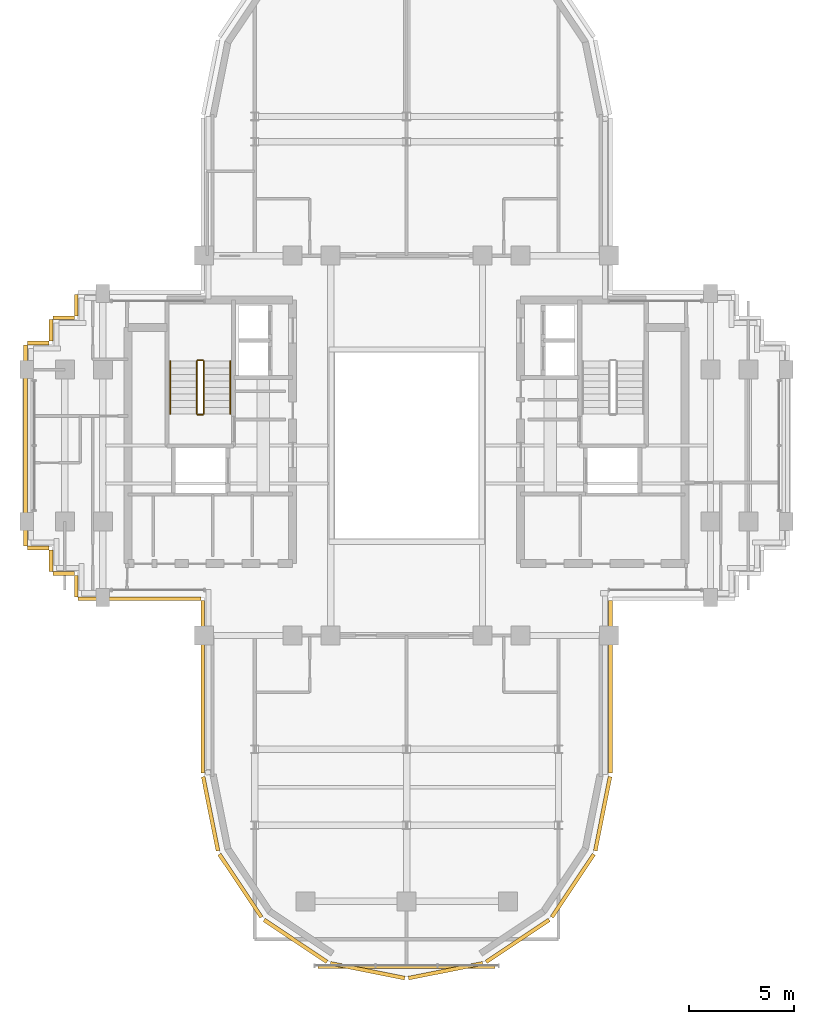
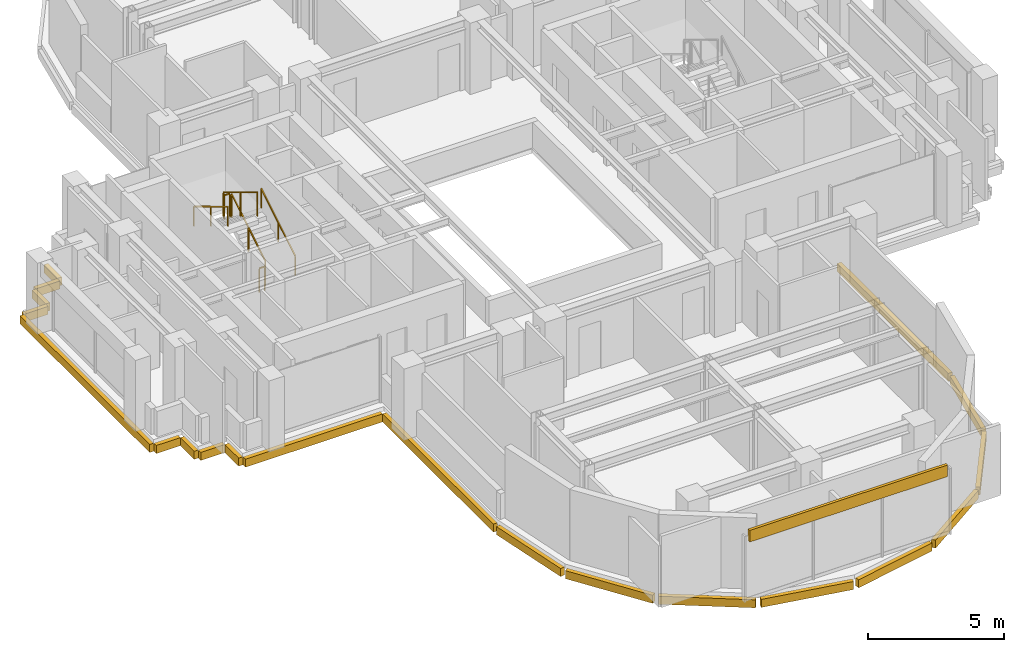
# One storey, part 10 of 12: 21 coverings, 6 railings.
"""IFC4 building model written with IfcOpenShell, lengths in metres."""

from ifc_helpers import new_model, si_unit, direction, frame, origin, origin_2d, place, context, subcontext, project, spatial, rectangle, extrude, source, transform, mapped, material, layer, layer_set, type_object, element, save


model = new_model("IFC4")

# Units and contexts
model_context = context("Model", 3, precision=1e-05, world=origin(), true_north=direction((0.0, 1.0)))
body_context = subcontext(model_context, "Body", "Model", "MODEL_VIEW")
ifc_project = project(units=[si_unit("LENGTHUNIT", "METRE"), si_unit("AREAUNIT", "SQUARE_METRE"), si_unit("VOLUMEUNIT", "CUBIC_METRE"), si_unit("PLANEANGLEUNIT", "RADIAN"), si_unit("MASSUNIT", "GRAM", prefix="KILO")], contexts=[model_context])

# Site, building, storey
site_placement = place(None, origin())
site = spatial("IfcSite", under=ifc_project, at=site_placement, CompositionType="ELEMENT")
building_placement = place(site_placement, origin())
building = spatial("IfcBuilding", under=site, at=building_placement, Name="Keilestroom Media Tower", CompositionType="ELEMENT")
storey_placement = place(building_placement, frame((0.0, 0.0, 187.60009765625)))
storey = spatial("IfcBuildingStorey", under=building, at=storey_placement, Name="L51", CompositionType="ELEMENT", Elevation=187.60009765625)

# Railings
ifc_material_1 = material(Name="Brushed Stainless Steel 1.4301", Category="steel")
railing_type_1 = type_object("IfcRailingType", Name="Stair-Pitch-Handrail-920", PredefinedType="HANDRAIL", material=ifc_material_1)
railing_1_placement = place(storey_placement, frame((-8.35009765625, 1.5, 0.188720703125)))
element("IfcRailing", 1, at=railing_1_placement, inside=storey, type_object=railing_type_1, Name="L51 ST-1 stair handrail 1", PredefinedType="HANDRAIL", context=body_context, shape_type="SweptSolid", body=[
    extrude(rectangle(XDim=0.048095703125, YDim=0.048095703125, at=origin_2d()), frame((0.0, 0.0, 0.8759765625), z_axis=(0.0, 0.855433747314, 0.517912255074), x_axis=(-1.0, 0.0, 0.0)), (0.0, 0.0, 1.0), 2.91796875),
    extrude(rectangle(XDim=0.0419921875, YDim=0.0419921875, at=origin_2d()), origin(), (0.0, 0.0, 1.0), 0.84375),
    extrude(rectangle(XDim=0.0419921875, YDim=0.0419921875, at=origin_2d()), frame((0.0, 1.248046875, 0.755615234375)), (0.0, 0.0, 1.0), 0.84375),
    extrude(rectangle(XDim=0.0419921875, YDim=0.0419921875, at=origin_2d()), frame((0.0, 2.49609375, 1.51123046875)), (0.0, 0.0, 1.0), 0.84375),
])
railing_2_placement = place(storey_placement, frame((-11.2099609375, 3.99609375, 1.888671875)))
element("IfcRailing", 2, at=railing_2_placement, inside=storey, type_object=railing_type_1, Name="L51 ST-1 stair handrail 2", PredefinedType="HANDRAIL", context=body_context, shape_type="SweptSolid", body=[
    extrude(rectangle(XDim=0.048095703125, YDim=0.048095703125, at=origin_2d()), frame((0.0, 0.0, 0.8759765625), z_axis=(0.0, -0.855433747314, 0.517912255074), x_axis=(1.0, 0.0, 0.0)), (0.0, 0.0, 1.0), 2.91796875),
    extrude(rectangle(XDim=0.0419921875, YDim=0.0419921875, at=origin_2d()), origin(), (0.0, 0.0, 1.0), 0.84375),
    extrude(rectangle(XDim=0.0419921875, YDim=0.0419921875, at=origin_2d()), frame((0.0, -1.248046875, 0.755615234375)), (0.0, 0.0, 1.0), 0.84375),
    extrude(rectangle(XDim=0.0419921875, YDim=0.0419921875, at=origin_2d()), frame((0.0, -2.49609375, 1.51123046875)), (0.0, 0.0, 1.0), 0.84375),
])
ifc_material_2 = material(Name="Painted Steel Balustrade", Category="steel")
railing_type_2 = type_object("IfcRailingType", Name="Stair-Well-And-Landing-Guard-1100", PredefinedType="GUARDRAIL", material=ifc_material_2)
railing_3_placement = place(storey_placement, frame((-9.610107421875, 1.5, 0.188720703125)))
element("IfcRailing", 3, at=railing_3_placement, inside=storey, type_object=railing_type_2, Name="L51 ST-1 stair guard 1", PredefinedType="GUARDRAIL", context=body_context, shape_type="SweptSolid", body=[
    extrude(rectangle(XDim=0.048095703125, YDim=0.048095703125, at=origin_2d()), frame((0.0, 0.0, 1.076171875), z_axis=(0.0, 0.855433747314, 0.517912255074), x_axis=(-1.0, 0.0, 0.0)), (0.0, 0.0, 1.0), 2.91796875),
    extrude(rectangle(XDim=0.0419921875, YDim=0.0419921875, at=origin_2d()), origin(), (0.0, 0.0, 1.0), 1.0439453125),
    extrude(rectangle(XDim=0.0419921875, YDim=0.0419921875, at=origin_2d()), frame((0.0, 1.248046875, 0.755615234375)), (0.0, 0.0, 1.0), 1.0439453125),
    extrude(rectangle(XDim=0.0419921875, YDim=0.0419921875, at=origin_2d()), frame((0.0, 2.49609375, 1.51123046875)), (0.0, 0.0, 1.0), 1.0439453125),
])
railing_4_placement = place(storey_placement, frame((-9.659912109375, 4.0458984375, 1.699951171875)))
element("IfcRailing", 4, at=railing_4_placement, inside=storey, type_object=railing_type_2, Name="L51 ST-1 stair guard 2", PredefinedType="GUARDRAIL", context=body_context, shape_type="SweptSolid", body=[
    extrude(rectangle(XDim=0.048095703125, YDim=0.048095703125, at=origin_2d()), frame((0.0, 0.0, 1.076171875), z_axis=(-1.0, 0.0, 0.0), x_axis=(0.0, -1.0, 0.0)), (0.0, 0.0, 1.0), 0.239990234375),
    extrude(rectangle(XDim=0.0419921875, YDim=0.0419921875, at=origin_2d()), origin(), (0.0, 0.0, 1.0), 1.0439453125),
    extrude(rectangle(XDim=0.0419921875, YDim=0.0419921875, at=origin_2d()), frame((-0.239990234375, 0.0, 0.0)), (0.0, 0.0, 1.0), 1.0439453125),
])
railing_5_placement = place(storey_placement, frame((-9.949951171875, 3.99609375, 1.888671875)))
element("IfcRailing", 5, at=railing_5_placement, inside=storey, type_object=railing_type_2, Name="L51 ST-1 stair guard 3", PredefinedType="GUARDRAIL", context=body_context, shape_type="SweptSolid", body=[
    extrude(rectangle(XDim=0.048095703125, YDim=0.048095703125, at=origin_2d()), frame((0.0, 0.0, 1.076171875), z_axis=(0.0, -0.855433747314, 0.517912255074), x_axis=(1.0, 0.0, 0.0)), (0.0, 0.0, 1.0), 2.91796875),
    extrude(rectangle(XDim=0.0419921875, YDim=0.0419921875, at=origin_2d()), origin(), (0.0, 0.0, 1.0), 1.0439453125),
    extrude(rectangle(XDim=0.0419921875, YDim=0.0419921875, at=origin_2d()), frame((0.0, -1.248046875, 0.755615234375)), (0.0, 0.0, 1.0), 1.0439453125),
    extrude(rectangle(XDim=0.0419921875, YDim=0.0419921875, at=origin_2d()), frame((0.0, -2.49609375, 1.51123046875)), (0.0, 0.0, 1.0), 1.0439453125),
])
railing_6_placement = place(storey_placement, frame((-9.659912109375, 1.449951171875, 0.0)))
element("IfcRailing", 6, at=railing_6_placement, inside=storey, type_object=railing_type_2, Name="L51 ST-1 stair guard 4", PredefinedType="GUARDRAIL", context=body_context, shape_type="SweptSolid", body=[
    extrude(rectangle(XDim=0.048095703125, YDim=0.048095703125, at=origin_2d()), frame((0.0, 0.0, 1.076171875), z_axis=(-1.0, 0.0, 0.0), x_axis=(0.0, -1.0, 0.0)), (0.0, 0.0, 1.0), 0.239990234375),
    extrude(rectangle(XDim=0.0419921875, YDim=0.0419921875, at=origin_2d()), origin(), (0.0, 0.0, 1.0), 1.0439453125),
    extrude(rectangle(XDim=0.0419921875, YDim=0.0419921875, at=origin_2d()), frame((-0.239990234375, 0.0, 0.0)), (0.0, 0.0, 1.0), 1.0439453125),
])

# Coverings
ifc_material_3 = material(Name="Precast concrete C40/50", Category="concrete")
ifc_layer = layer(ifc_material_3, 0.1201171875)
ifc_layer_set = layer_set([ifc_layer], Name="Precast concrete C40/50")
covering_type = type_object("IfcCoveringType", Name="Exterior-Precast-Spandrel-Cladding-Panel-120", PredefinedType="CLADDING", material=ifc_layer_set)
shared_shape_1 = source(origin(), body_context, "Body", "SweptSolid", [
    extrude(rectangle(XDim=8.39990234375, YDim=0.1201171875, at=origin_2d()), origin(), (0.0, 0.0, 1.0), 0.52001953125),
])
covering_1_placement = place(storey_placement, frame((0.0, -24.719970703125, 2.68994140625), z_axis=(0.0, 0.0, 1.0), x_axis=(1.0, 0.0, 0.0)))
element("IfcCovering", 7, at=covering_1_placement, inside=storey, type_object=covering_type, Name="L51 Precast Spandrel Cladding S", PredefinedType="CLADDING", context=body_context, shape_type="MappedRepresentation", body=[
    mapped(shared_shape_1, transform((0.0, 0.0, 0.0), x_axis=(1.0, 0.0, 0.0), y_axis=(0.0, 1.0, 0.0), z_axis=(0.0, 0.0, 1.0), scale=1.0)),
])
shared_shape_2 = source(origin(), body_context, "Body", "SweptSolid", [
    extrude(rectangle(XDim=1.02001953125, YDim=0.179931640625, at=origin_2d()), origin(), (0.0, 0.0, 1.0), 0.360107421875),
])
for number, where, z_axis, x_axis, name in (
    (8, (-15.659912109375, -6.659912109375, -0.5400390625), (0.0, 0.0, 1.0), (0.0, 1.0, 0.0), "L51 Precast Slab-Edge Fascia Cornice 17"),
    (9, (-16.260009765625, -6.06005859375, -0.5400390625), (0.0, 0.0, 1.0), (-1.0, 0.0, 0.0), "L51 Precast Slab-Edge Fascia Cornice 18"),
    (10, (-16.860107421875, -5.4599609375, -0.5400390625), (0.0, 0.0, 1.0), (0.0, 1.0, 0.0), "L51 Precast Slab-Edge Fascia Cornice 19"),
    (11, (-17.4599609375, -4.860107421875, -0.5400390625), (0.0, 0.0, 1.0), (-1.0, 0.0, 0.0), "L51 Precast Slab-Edge Fascia Cornice 20"),
    (12, (-17.4599609375, 4.860107421875, -0.5400390625), (0.0, 0.0, 1.0), (1.0, 0.0, 0.0), "L51 Precast Slab-Edge Fascia Cornice 22"),
    (13, (-16.860107421875, 5.4599609375, -0.5400390625), (0.0, 0.0, 1.0), (0.0, 1.0, 0.0), "L51 Precast Slab-Edge Fascia Cornice 23"),
    (14, (-16.260009765625, 6.06005859375, -0.5400390625), (0.0, 0.0, 1.0), (1.0, 0.0, 0.0), "L51 Precast Slab-Edge Fascia Cornice 24"),
    (15, (-15.659912109375, 6.659912109375, -0.5400390625), (0.0, 0.0, 1.0), (0.0, 1.0, 0.0), "L51 Precast Slab-Edge Fascia Cornice 25"),
):
    element("IfcCovering", number, at=place(storey_placement, frame(where, z_axis=z_axis, x_axis=x_axis)), inside=storey, type_object=covering_type, Name=name, PredefinedType="CLADDING", context=body_context, shape_type="MappedRepresentation", body=[
        mapped(shared_shape_2, transform((0.0, 0.0, 0.0), x_axis=(1.0, 0.0, 0.0), y_axis=(0.0, 1.0, 0.0), z_axis=(0.0, 0.0, 1.0), scale=1.0)),
    ])
shared_shape_3 = source(origin(), body_context, "Body", "SweptSolid", [
    extrude(rectangle(XDim=8.166015625, YDim=0.179931640625, at=origin_2d()), origin(), (0.0, 0.0, 1.0), 0.360107421875),
])
for number, where, z_axis, x_axis, name in (
    (16, (9.659912109375, -11.43310546875, -0.5400390625), (0.0, 0.0, 1.0), (0.0, -1.0, 0.0), "L51 Precast Slab-Edge Fascia Cornice 06"),
    (17, (-9.659912109375, -11.43310546875, -0.5400390625), (0.0, 0.0, 1.0), (0.0, 1.0, 0.0), "L51 Precast Slab-Edge Fascia Cornice 15"),
):
    element("IfcCovering", number, at=place(storey_placement, frame(where, z_axis=z_axis, x_axis=x_axis)), inside=storey, type_object=covering_type, Name=name, PredefinedType="CLADDING", context=body_context, shape_type="MappedRepresentation", body=[
        mapped(shared_shape_3, transform((0.0, 0.0, 0.0), x_axis=(1.0, 0.0, 0.0), y_axis=(0.0, 1.0, 0.0), z_axis=(0.0, 0.0, 1.0), scale=1.0)),
    ])
shared_shape_4 = source(origin(), body_context, "Body", "SweptSolid", [
    extrude(rectangle(XDim=3.58349609375, YDim=0.179931640625, at=origin_2d()), origin(), (0.0, 0.0, 1.0), 0.360107421875),
])
for number, where, z_axis, x_axis, name in (
    (18, (9.29296875, -17.45166015625, -0.5400390625), (0.0, 0.0, 1.0), (-0.195098880975, -0.980783577882, 0.0), "L51 Precast Slab-Edge Fascia Cornice 07"),
    (19, (-9.29296875, -17.45166015625, -0.5400390625), (0.0, 0.0, 1.0), (-0.195098880975, 0.980783577882, 0.0), "L51 Precast Slab-Edge Fascia Cornice 14"),
):
    element("IfcCovering", number, at=place(storey_placement, frame(where, z_axis=z_axis, x_axis=x_axis)), inside=storey, type_object=covering_type, Name=name, PredefinedType="CLADDING", context=body_context, shape_type="MappedRepresentation", body=[
        mapped(shared_shape_4, transform((0.0, 0.0, 0.0), x_axis=(1.0, 0.0, 0.0), y_axis=(0.0, 1.0, 0.0), z_axis=(0.0, 0.0, 1.0), scale=1.0)),
    ])
shared_shape_5 = source(origin(), body_context, "Body", "SweptSolid", [
    extrude(rectangle(XDim=3.589599609375, YDim=0.179931640625, at=origin_2d()), origin(), (0.0, 0.0, 1.0), 0.360107421875),
])
for number, where, z_axis, x_axis, name in (
    (20, (7.878662109375, -20.8642578125, -0.5400390625), (0.0, 0.0, 1.0), (-0.555574586577, -0.831466703332, 0.0), "L51 Precast Slab-Edge Fascia Cornice 08"),
    (21, (5.264404296875, -23.478515625, -0.5400390625), (0.0, 0.0, 1.0), (-0.831466703332, -0.555574586577, 0.0), "L51 Precast Slab-Edge Fascia Cornice 09"),
    (22, (1.8486328125, -24.893310546875, -0.5400390625), (0.0, 0.0, 1.0), (-0.980783577882, -0.195098880975, 0.0), "L51 Precast Slab-Edge Fascia Cornice 10"),
    (23, (-1.8486328125, -24.893310546875, -0.5400390625), (0.0, 0.0, 1.0), (-0.980783577882, 0.195098880975, 0.0), "L51 Precast Slab-Edge Fascia Cornice 11"),
    (24, (-5.264404296875, -23.478515625, -0.5400390625), (0.0, 0.0, 1.0), (-0.831466703332, 0.555574586577, 0.0), "L51 Precast Slab-Edge Fascia Cornice 12"),
    (25, (-7.878662109375, -20.8642578125, -0.5400390625), (0.0, 0.0, 1.0), (-0.555574586577, 0.831466703332, 0.0), "L51 Precast Slab-Edge Fascia Cornice 13"),
):
    element("IfcCovering", number, at=place(storey_placement, frame(where, z_axis=z_axis, x_axis=x_axis)), inside=storey, type_object=covering_type, Name=name, PredefinedType="CLADDING", context=body_context, shape_type="MappedRepresentation", body=[
        mapped(shared_shape_5, transform((0.0, 0.0, 0.0), x_axis=(1.0, 0.0, 0.0), y_axis=(0.0, 1.0, 0.0), z_axis=(0.0, 0.0, 1.0), scale=1.0)),
    ])
shared_shape_6 = source(origin(), body_context, "Body", "SweptSolid", [
    extrude(rectangle(XDim=9.5400390625, YDim=0.179931640625, at=origin_2d()), origin(), (0.0, 0.0, 1.0), 0.360107421875),
])
covering_2_placement = place(storey_placement, frame((-18.06005859375, 0.0, -0.5400390625), z_axis=(0.0, 0.0, 1.0), x_axis=(0.0, 1.0, 0.0)))
element("IfcCovering", 26, at=covering_2_placement, inside=storey, type_object=covering_type, Name="L51 Precast Slab-Edge Fascia Cornice 21", PredefinedType="CLADDING", context=body_context, shape_type="MappedRepresentation", body=[
    mapped(shared_shape_6, transform((0.0, 0.0, 0.0), x_axis=(1.0, 0.0, 0.0), y_axis=(0.0, 1.0, 0.0), z_axis=(0.0, 0.0, 1.0), scale=1.0)),
])
shared_shape_7 = source(origin(), body_context, "Body", "SweptSolid", [
    extrude(rectangle(XDim=5.820068359375, YDim=0.179931640625, at=origin_2d()), origin(), (0.0, 0.0, 1.0), 0.360107421875),
])
covering_3_placement = place(storey_placement, frame((-12.659912109375, -7.260009765625, -0.5400390625), z_axis=(0.0, 0.0, 1.0), x_axis=(-1.0, 0.0, 0.0)))
element("IfcCovering", 27, at=covering_3_placement, inside=storey, type_object=covering_type, Name="L51 Precast Slab-Edge Fascia Cornice 16", PredefinedType="CLADDING", context=body_context, shape_type="MappedRepresentation", body=[
    mapped(shared_shape_7, transform((0.0, 0.0, 0.0), x_axis=(1.0, 0.0, 0.0), y_axis=(0.0, 1.0, 0.0), z_axis=(0.0, 0.0, 1.0), scale=1.0)),
])

save(model, "model.ifc")
